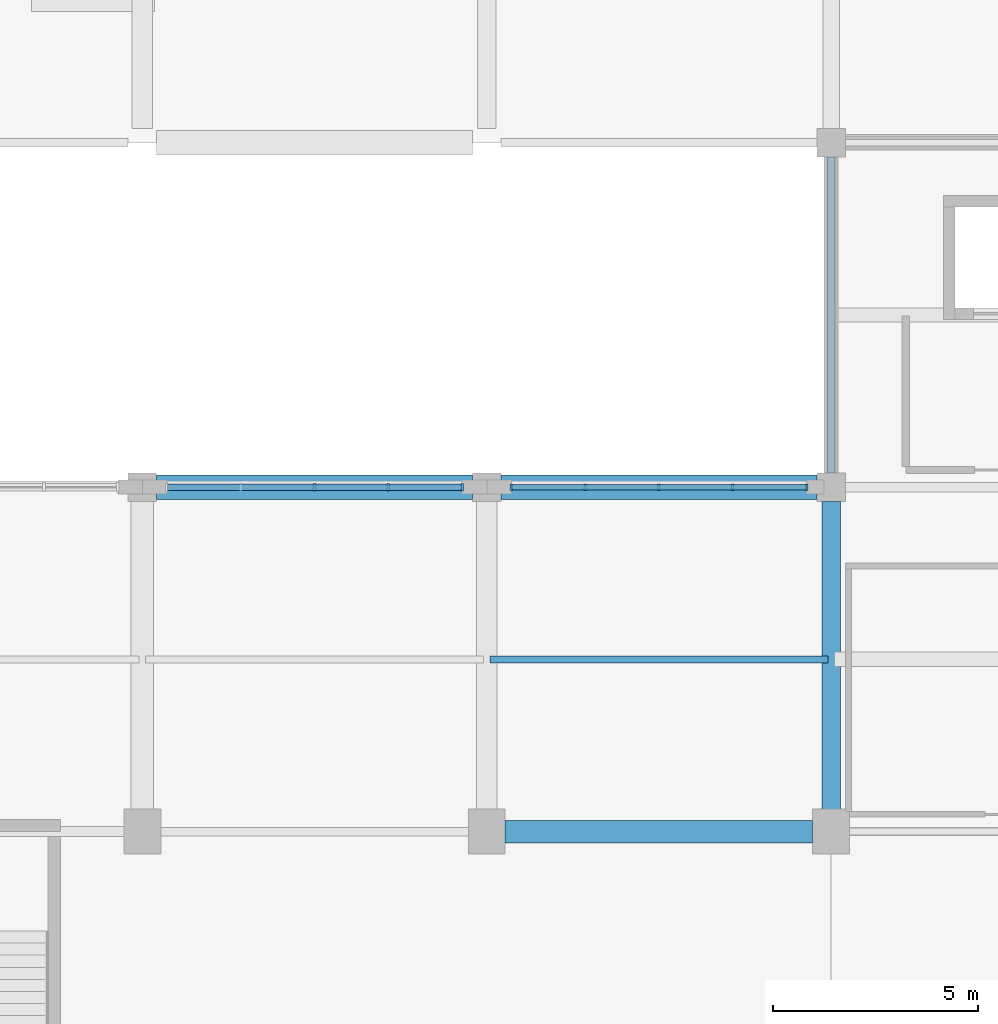
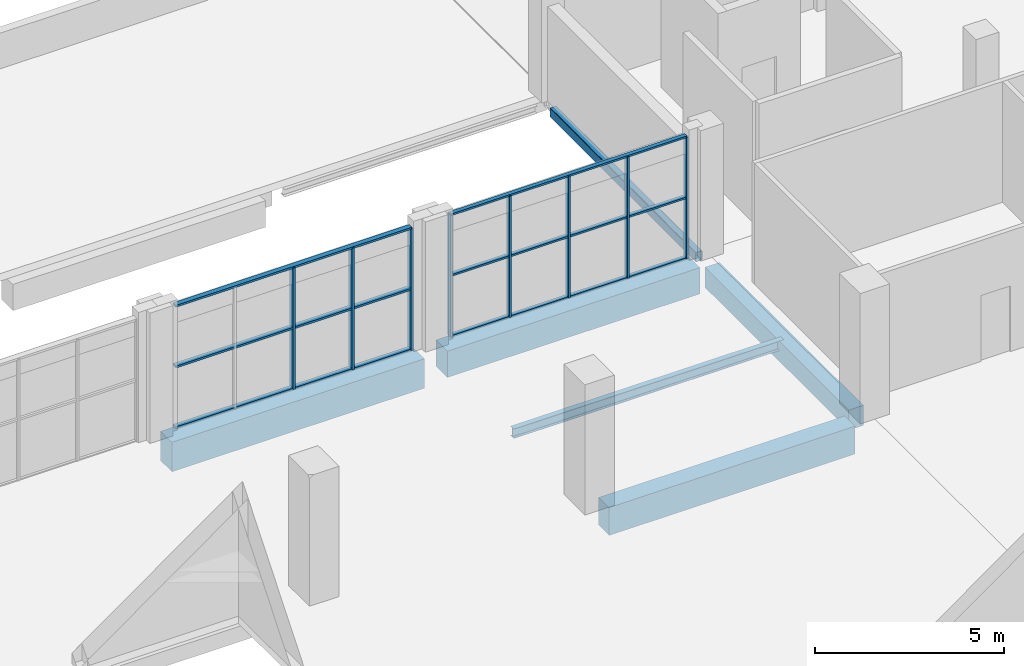
# One storey, part 25 of 64: 14 members, 6 beams, 2 elements without a shape of their own.
"""IFC4 building model written with IfcOpenShell, lengths in metres."""

from ifc_helpers import new_model, si_unit, derived_unit, direction, frame, origin, origin_2d, place, context, subcontext, project, spatial, rectangle, hollow_rectangle, i_section, extrude, material, material_profile, profile_set, type_object, element, aggregate, save


model = new_model("IFC4")

# Units and contexts
model_context = context("Model", 3, precision=1e-05, world=origin(), true_north=direction((0.0, 1.0)))
body_context = subcontext(model_context, "Body", "Model", "MODEL_VIEW")
ifc_project = project(units=[si_unit("LENGTHUNIT", "METRE"), si_unit("AREAUNIT", "SQUARE_METRE"), si_unit("VOLUMEUNIT", "CUBIC_METRE"), si_unit("PLANEANGLEUNIT", "RADIAN"), si_unit("MASSUNIT", "GRAM", prefix="KILO"), derived_unit("THERMALTRANSMITTANCEUNIT", [(si_unit("POWERUNIT", "WATT"), 1), (si_unit("LENGTHUNIT", "METRE"), -2), (si_unit("THERMODYNAMICTEMPERATUREUNIT", "KELVIN"), -1)])], contexts=[model_context])

# Site, building, storey
site_placement = place(None, origin())
site = spatial("IfcSite", under=ifc_project, at=site_placement, CompositionType="ELEMENT")
building_placement = place(site_placement, origin())
building = spatial("IfcBuilding", under=site, at=building_placement, Name="Barrovel Congress Hotel", CompositionType="ELEMENT")
storey_placement = place(building_placement, frame((0.0, 0.0, 14.10009765625)))
storey = spatial("IfcBuildingStorey", under=building, at=storey_placement, Name="L03", CompositionType="ELEMENT", Elevation=14.10009765625)

# Beams
ifc_material_1 = material(Name="Concrete C40", Category="concrete")
ifc_material_profile_1 = material_profile(ifc_material_1, rectangle(XDim=0.449951171875, YDim=0.64990234375, at=origin_2d()), Name="RC450x650")
ifc_profile_set_1 = profile_set([ifc_material_profile_1], Name="Concrete C40")
beam_type_1 = type_object("IfcBeamType", Name="BM-RC450x650", PredefinedType="BEAM", material=ifc_profile_set_1)
beam_1_placement = place(storey_placement, frame((126.0, 21.449951171875, -0.565185546875), z_axis=(0.0, 1.0, 0.0), x_axis=(-1.0, 0.0, 0.0)))
element("IfcBeam", 1, at=beam_1_placement, inside=storey, type_object=beam_type_1, Name="BMY:L03:126.0:21.0-29.4", PredefinedType="BEAM", context=body_context, shape_type="SweptSolid", body=[
    extrude(rectangle(XDim=0.449951171875, YDim=0.64990234375, at=origin_2d()), origin(), (0.0, 0.0, 1.0), 7.60009765625),
])
ifc_material_profile_2 = material_profile(ifc_material_1, rectangle(XDim=0.550048828125, YDim=0.89990234375, at=origin_2d()), Name="RC550x900")
ifc_profile_set_2 = profile_set([ifc_material_profile_2], Name="Concrete C40")
beam_type_2 = type_object("IfcBeamType", Name="BM-RC550x900", PredefinedType="BEAM", material=ifc_profile_set_2)
beam_2_placement = place(storey_placement, frame((118.050048828125, 21.0, -0.690185546875), z_axis=(1.0, 0.0, 0.0), x_axis=(0.0, 1.0, 0.0)))
element("IfcBeam", 2, at=beam_2_placement, inside=storey, type_object=beam_type_2, Name="BMX:L03:21.0:117.6-126.0", PredefinedType="BEAM", context=body_context, shape_type="SweptSolid", body=[
    extrude(rectangle(XDim=0.550048828125, YDim=0.89990234375, at=origin_2d()), origin(), (0.0, 0.0, 1.0), 7.5),
])
ifc_material_profile_3 = material_profile(ifc_material_1, rectangle(XDim=0.60009765625, YDim=0.85009765625, at=origin_2d()), Name="RC600x850")
ifc_profile_set_3 = profile_set([ifc_material_profile_3], Name="Concrete C40")
beam_type_3 = type_object("IfcBeamType", Name="BM-RC600x850", PredefinedType="BEAM", material=ifc_profile_set_3)
beam_3_placement = place(storey_placement, frame((117.949951171875, 29.39990234375, -0.6650390625), z_axis=(1.0, 0.0, 0.0), x_axis=(0.0, 1.0, 0.0)))
element("IfcBeam", 3, at=beam_3_placement, inside=storey, type_object=beam_type_3, Name="BMX:L03:29.4:117.6-126.0", PredefinedType="BEAM", context=body_context, shape_type="SweptSolid", body=[
    extrude(rectangle(XDim=0.60009765625, YDim=0.85009765625, at=origin_2d()), origin(), (0.0, 0.0, 1.0), 7.699951171875),
])
ifc_material_profile_4 = material_profile(ifc_material_1, rectangle(XDim=0.60009765625, YDim=0.949951171875, at=origin_2d()), Name="RC600x950")
ifc_profile_set_4 = profile_set([ifc_material_profile_4], Name="Concrete C40")
beam_type_4 = type_object("IfcBeamType", Name="BM-RC600x950", PredefinedType="BEAM", material=ifc_profile_set_4)
beam_4_placement = place(storey_placement, frame((109.550048828125, 29.39990234375, -0.715087890625), z_axis=(1.0, 0.0, 0.0), x_axis=(0.0, 1.0, 0.0)))
element("IfcBeam", 4, at=beam_4_placement, inside=storey, type_object=beam_type_4, Name="BMX:L03:29.4:109.2-117.6", PredefinedType="BEAM", context=body_context, shape_type="SweptSolid", body=[
    extrude(rectangle(XDim=0.60009765625, YDim=0.949951171875, at=origin_2d()), origin(), (0.0, 0.0, 1.0), 7.699951171875),
])

# Curtain wall, members
ifc_material_2 = material(Name="Anodised Aluminium Alloy 6063-T6", Category="aluminium")
curtain_wall_type = type_object("IfcCurtainWallType", Name="CW-ST-7200x3600", PredefinedType="USERDEFINED", material=ifc_material_2)
curtain_wall_1_placement = place(storey_placement, origin())
curtain_wall_1 = element("IfcCurtainWall", 5, at=curtain_wall_1_placement, inside=storey, type_object=curtain_wall_type, Name="CW:L03:CS:14", ObjectType="STICK CURTAIN WALL", PredefinedType="USERDEFINED")
ifc_material_profile_5 = material_profile(ifc_material_2, rectangle(XDim=0.06005859375, YDim=0.1650390625, at=origin_2d()), Name="AL-M60x165")
ifc_profile_set_5 = profile_set([ifc_material_profile_5], Name="Anodised Aluminium Alloy 6063-T6")
member_type_1 = type_object("IfcMemberType", Name="CWM-AL-M60x165", PredefinedType="MULLION", material=ifc_profile_set_5)
member_1_placement = place(storey_placement, frame((125.39990234375, 29.39990234375, 0.0), z_axis=(0.0, 0.0, 1.0), x_axis=(1.0, 0.0, 0.0)))
member_1 = element("IfcMember", 6, at=member_1_placement, type_object=member_type_1, Name="CW:L03:CS:14:M0", PredefinedType="MULLION", context=body_context, shape_type="SweptSolid", body=[
    extrude(rectangle(XDim=0.06005859375, YDim=0.1650390625, at=origin_2d()), origin(), (0.0, 0.0, 1.0), 3.919921875),
])
member_2_placement = place(storey_placement, frame((123.60009765625, 29.39990234375, 0.0), z_axis=(0.0, 0.0, 1.0), x_axis=(1.0, 0.0, 0.0)))
member_2 = element("IfcMember", 7, at=member_2_placement, type_object=member_type_1, Name="CW:L03:CS:14:M1", PredefinedType="MULLION", context=body_context, shape_type="SweptSolid", body=[
    extrude(rectangle(XDim=0.06005859375, YDim=0.1650390625, at=origin_2d()), origin(), (0.0, 0.0, 1.0), 3.919921875),
])
member_3_placement = place(storey_placement, frame((121.800048828125, 29.39990234375, 0.0), z_axis=(0.0, 0.0, 1.0), x_axis=(1.0, 0.0, 0.0)))
member_3 = element("IfcMember", 8, at=member_3_placement, type_object=member_type_1, Name="CW:L03:CS:14:M2", PredefinedType="MULLION", context=body_context, shape_type="SweptSolid", body=[
    extrude(rectangle(XDim=0.06005859375, YDim=0.1650390625, at=origin_2d()), origin(), (0.0, 0.0, 1.0), 3.919921875),
])
member_4_placement = place(storey_placement, frame((120.0, 29.39990234375, 0.0), z_axis=(0.0, 0.0, 1.0), x_axis=(1.0, 0.0, 0.0)))
member_4 = element("IfcMember", 9, at=member_4_placement, type_object=member_type_1, Name="CW:L03:CS:14:M3", PredefinedType="MULLION", context=body_context, shape_type="SweptSolid", body=[
    extrude(rectangle(XDim=0.06005859375, YDim=0.1650390625, at=origin_2d()), origin(), (0.0, 0.0, 1.0), 3.919921875),
])
member_5_placement = place(storey_placement, frame((118.199951171875, 29.39990234375, 0.0), z_axis=(0.0, 0.0, 1.0), x_axis=(1.0, 0.0, 0.0)))
member_5 = element("IfcMember", 10, at=member_5_placement, type_object=member_type_1, Name="CW:L03:CS:14:M4", PredefinedType="MULLION", context=body_context, shape_type="SweptSolid", body=[
    extrude(rectangle(XDim=0.06005859375, YDim=0.1650390625, at=origin_2d()), origin(), (0.0, 0.0, 1.0), 3.919921875),
])

curtain_wall_2_placement = place(storey_placement, origin())
curtain_wall_2 = element("IfcCurtainWall", 11, at=curtain_wall_2_placement, inside=storey, type_object=curtain_wall_type, Name="CW:L03:CS:13", ObjectType="STICK CURTAIN WALL", PredefinedType="USERDEFINED")
ifc_material_profile_6 = material_profile(ifc_material_2, rectangle(XDim=0.06494140625, YDim=0.18994140625, at=origin_2d()), Name="AL-M65x190")
ifc_profile_set_6 = profile_set([ifc_material_profile_6], Name="Anodised Aluminium Alloy 6063-T6")
member_type_2 = type_object("IfcMemberType", Name="CWM-AL-M65x190", PredefinedType="MULLION", material=ifc_profile_set_6)
member_6_placement = place(storey_placement, frame((117.0, 29.39990234375, 0.0), z_axis=(0.0, 0.0, 1.0), x_axis=(1.0, 0.0, 0.0)))
member_6 = element("IfcMember", 12, at=member_6_placement, type_object=member_type_2, Name="CW:L03:CS:13:M0", PredefinedType="MULLION", context=body_context, shape_type="SweptSolid", body=[
    extrude(rectangle(XDim=0.06494140625, YDim=0.18994140625, at=origin_2d()), origin(), (0.0, 0.0, 1.0), 3.919921875),
])
member_7_placement = place(storey_placement, frame((115.199951171875, 29.39990234375, 0.0), z_axis=(0.0, 0.0, 1.0), x_axis=(1.0, 0.0, 0.0)))
member_7 = element("IfcMember", 13, at=member_7_placement, type_object=member_type_2, Name="CW:L03:CS:13:M1", PredefinedType="MULLION", context=body_context, shape_type="SweptSolid", body=[
    extrude(rectangle(XDim=0.06494140625, YDim=0.18994140625, at=origin_2d()), origin(), (0.0, 0.0, 1.0), 3.919921875),
])
member_8_placement = place(storey_placement, frame((113.39990234375, 29.39990234375, 0.0), z_axis=(0.0, 0.0, 1.0), x_axis=(1.0, 0.0, 0.0)))
member_8 = element("IfcMember", 14, at=member_8_placement, type_object=member_type_2, Name="CW:L03:CS:13:M2", PredefinedType="MULLION", context=body_context, shape_type="SweptSolid", body=[
    extrude(rectangle(XDim=0.06494140625, YDim=0.18994140625, at=origin_2d()), origin(), (0.0, 0.0, 1.0), 3.919921875),
])

# Member
ifc_material_profile_7 = material_profile(ifc_material_2, rectangle(XDim=0.125, YDim=0.06005859375, at=origin_2d()), Name="AL-T60x125")
ifc_profile_set_7 = profile_set([ifc_material_profile_7], Name="Anodised Aluminium Alloy 6063-T6")
member_type_3 = type_object("IfcMemberType", Name="CWT-AL-T60x125", PredefinedType="USERDEFINED", material=ifc_profile_set_7)
member_9_placement = place(storey_placement, frame((125.39990234375, 29.39990234375, 0.0), z_axis=(-1.0, 0.0, 0.0), x_axis=(0.0, -1.0, 0.0)))
member_9 = element("IfcMember", 15, at=member_9_placement, type_object=member_type_3, Name="CW:L03:CS:14:T0", ObjectType="TRANSOM", PredefinedType="USERDEFINED", context=body_context, shape_type="SweptSolid", body=[
    extrude(rectangle(XDim=0.125, YDim=0.06005859375, at=origin_2d()), origin(), (0.0, 0.0, 1.0), 7.199951171875),
])

member_10_placement = place(storey_placement, frame((125.39990234375, 29.39990234375, 1.9599609375), z_axis=(-1.0, 0.0, 0.0), x_axis=(0.0, -1.0, 0.0)))
member_10 = element("IfcMember", 16, at=member_10_placement, type_object=member_type_3, Name="CW:L03:CS:14:T1", ObjectType="TRANSOM", PredefinedType="USERDEFINED", context=body_context, shape_type="SweptSolid", body=[
    extrude(rectangle(XDim=0.125, YDim=0.06005859375, at=origin_2d()), origin(), (0.0, 0.0, 1.0), 7.199951171875),
])

member_11_placement = place(storey_placement, frame((125.39990234375, 29.39990234375, 3.919921875), z_axis=(-1.0, 0.0, 0.0), x_axis=(0.0, -1.0, 0.0)))
member_11 = element("IfcMember", 17, at=member_11_placement, type_object=member_type_3, Name="CW:L03:CS:14:T2", ObjectType="TRANSOM", PredefinedType="USERDEFINED", context=body_context, shape_type="SweptSolid", body=[
    extrude(rectangle(XDim=0.125, YDim=0.06005859375, at=origin_2d()), origin(), (0.0, 0.0, 1.0), 7.199951171875),
])

aggregate(curtain_wall_1, [member_1, member_2, member_3, member_4, member_5, member_9, member_10, member_11])

ifc_material_profile_8 = material_profile(ifc_material_2, rectangle(XDim=0.14990234375, YDim=0.06494140625, at=origin_2d()), Name="AL-T65x150")
ifc_profile_set_8 = profile_set([ifc_material_profile_8], Name="Anodised Aluminium Alloy 6063-T6")
member_type_4 = type_object("IfcMemberType", Name="CWT-AL-T65x150", PredefinedType="USERDEFINED", material=ifc_profile_set_8)
member_12_placement = place(storey_placement, frame((117.0, 29.39990234375, 0.0), z_axis=(-1.0, 0.0, 0.0), x_axis=(0.0, -1.0, 0.0)))
member_12 = element("IfcMember", 18, at=member_12_placement, type_object=member_type_4, Name="CW:L03:CS:13:T0", ObjectType="TRANSOM", PredefinedType="USERDEFINED", context=body_context, shape_type="SweptSolid", body=[
    extrude(rectangle(XDim=0.14990234375, YDim=0.06494140625, at=origin_2d()), origin(), (0.0, 0.0, 1.0), 7.199951171875),
])

member_13_placement = place(storey_placement, frame((117.0, 29.39990234375, 1.9599609375), z_axis=(-1.0, 0.0, 0.0), x_axis=(0.0, -1.0, 0.0)))
member_13 = element("IfcMember", 19, at=member_13_placement, type_object=member_type_4, Name="CW:L03:CS:13:T1", ObjectType="TRANSOM", PredefinedType="USERDEFINED", context=body_context, shape_type="SweptSolid", body=[
    extrude(rectangle(XDim=0.14990234375, YDim=0.06494140625, at=origin_2d()), origin(), (0.0, 0.0, 1.0), 7.199951171875),
])

member_14_placement = place(storey_placement, frame((117.0, 29.39990234375, 3.919921875), z_axis=(-1.0, 0.0, 0.0), x_axis=(0.0, -1.0, 0.0)))
member_14 = element("IfcMember", 20, at=member_14_placement, type_object=member_type_4, Name="CW:L03:CS:13:T2", ObjectType="TRANSOM", PredefinedType="USERDEFINED", context=body_context, shape_type="SweptSolid", body=[
    extrude(rectangle(XDim=0.14990234375, YDim=0.06494140625, at=origin_2d()), origin(), (0.0, 0.0, 1.0), 7.199951171875),
])

aggregate(curtain_wall_2, [member_6, member_7, member_8, member_12, member_13, member_14])

# Beams
ifc_material_3 = material(Name="Steel ASTM A500 Grade C", Category="steel")
ifc_material_profile_9 = material_profile(ifc_material_3, hollow_rectangle(XDim=0.203125, YDim=0.3046875, WallThickness=0.01171875, InnerFilletRadius=0.01171875, OuterFilletRadius=0.023681640625, at=origin_2d()), Name="HSS305x203x12.7")
ifc_profile_set_9 = profile_set([ifc_material_profile_9], Name="Steel ASTM A500 Grade C")
beam_type_5 = type_object("IfcBeamType", Name="SBM-HSS305x203x12.7", PredefinedType="SPANDREL", material=ifc_profile_set_9)
beam_5_placement = place(storey_placement, frame((126.0, 29.75, -0.392578125), z_axis=(0.0, 1.0, 0.0), x_axis=(-1.0, 0.0, 0.0)))
element("IfcBeam", 21, at=beam_5_placement, inside=storey, type_object=beam_type_5, Name="BMY:L03:126.0:29.4-37.8", PredefinedType="SPANDREL", context=body_context, shape_type="SweptSolid", body=[
    extrude(hollow_rectangle(XDim=0.203125, YDim=0.3046875, WallThickness=0.01171875, InnerFilletRadius=0.01171875, OuterFilletRadius=0.023681640625, at=origin_2d()), origin(), (0.0, 0.0, 1.0), 7.699951171875),
])
ifc_material_4 = material(Name="Steel ASTM A992 Grade 50", Category="steel")
ifc_material_profile_10 = material_profile(ifc_material_4, i_section(OverallWidth=0.1650390625, OverallDepth=0.31005859375, WebThickness=0.005859375, FlangeThickness=0.009765625, FilletRadius=0.010986328125, at=origin_2d()), Name="W310x39")
ifc_profile_set_10 = profile_set([ifc_material_profile_10], Name="Steel ASTM A992 Grade 50")
beam_type_6 = type_object("IfcBeamType", Name="SBM-W310x39", PredefinedType="JOIST", material=ifc_profile_set_10)
beam_6_placement = place(storey_placement, frame((117.679931640625, 25.199951171875, -0.39501953125), z_axis=(1.0, 0.0, 0.0), x_axis=(0.0, 1.0, 0.0)))
element("IfcBeam", 22, at=beam_6_placement, inside=storey, type_object=beam_type_6, Name="JST:L03:117.6:25.2", PredefinedType="JOIST", context=body_context, shape_type="SweptSolid", body=[
    extrude(i_section(OverallWidth=0.1650390625, OverallDepth=0.31005859375, WebThickness=0.005859375, FlangeThickness=0.009765625, FilletRadius=0.010986328125, at=origin_2d()), origin(), (0.0, 0.0, 1.0), 8.239990234375),
])

save(model, "model.ifc")
